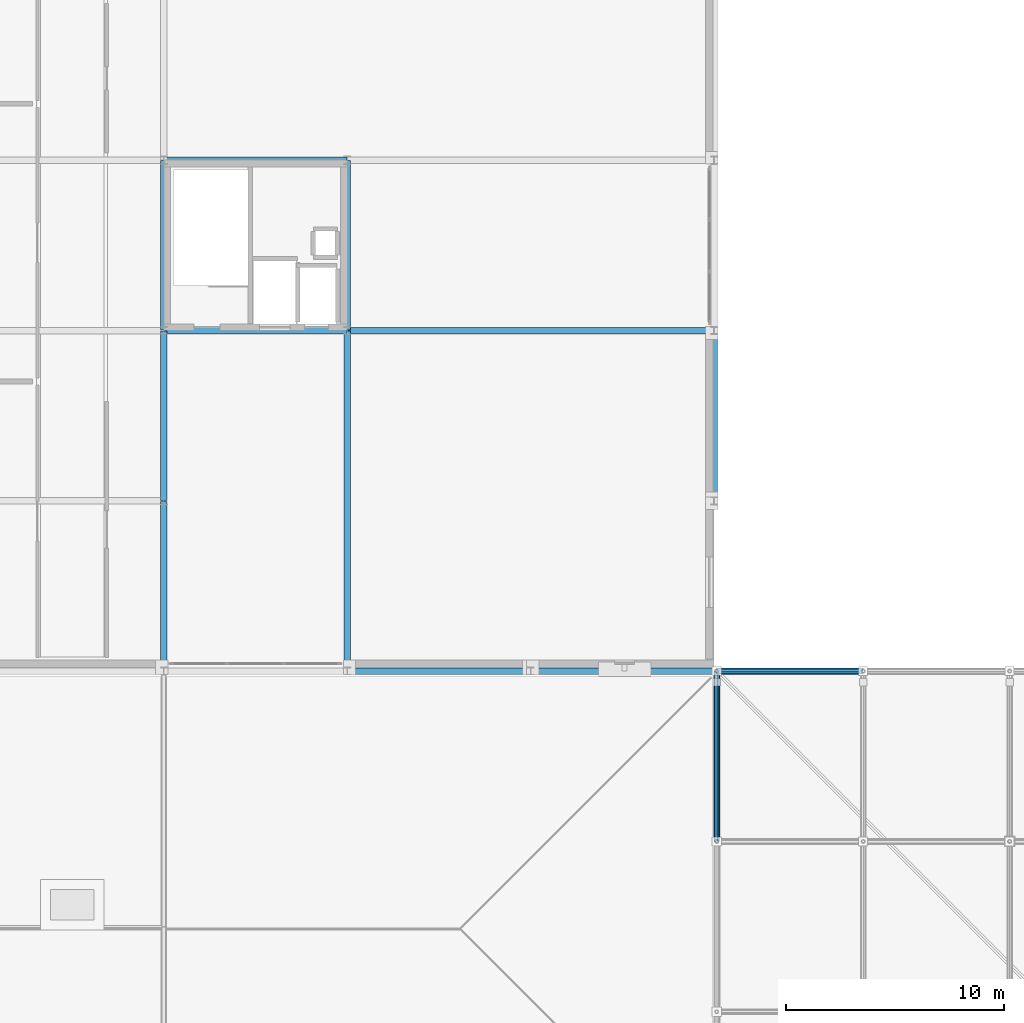
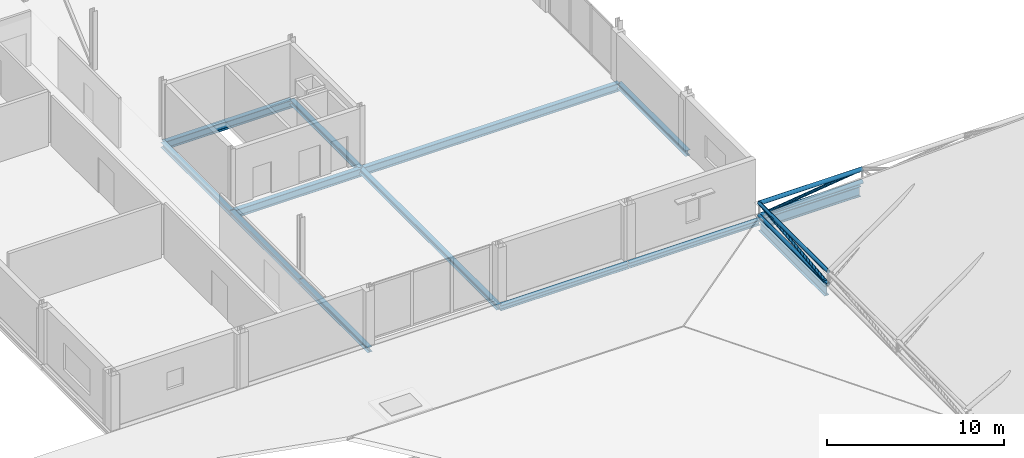
# One storey, part 22 of 77: 13 beams, 6 members.
"""IFC4 building model written with IfcOpenShell, lengths in metres."""

from ifc_helpers import new_model, si_unit, direction, frame, origin, origin_2d, place, context, subcontext, project, spatial, hollow_circle, i_section, extrude, material, material_profile, profile_set, type_object, element, save


model = new_model("IFC4")

# Units and contexts
model_context = context("Model", 3, precision=1e-05, world=origin(), true_north=direction((0.0, 1.0)))
body_context = subcontext(model_context, "Body", "Model", "MODEL_VIEW")
ifc_project = project(units=[si_unit("LENGTHUNIT", "METRE"), si_unit("AREAUNIT", "SQUARE_METRE"), si_unit("VOLUMEUNIT", "CUBIC_METRE"), si_unit("PLANEANGLEUNIT", "RADIAN"), si_unit("MASSUNIT", "GRAM", prefix="KILO")], contexts=[model_context])

# Site, building, storey
site_placement = place(None, origin())
site = spatial("IfcSite", under=ifc_project, at=site_placement, CompositionType="ELEMENT")
building_placement = place(site_placement, origin())
building = spatial("IfcBuilding", under=site, at=building_placement, Name="Nabrawat Pavilion Hospital", CompositionType="ELEMENT")
storey_placement = place(building_placement, frame((0.0, 0.0, 14.85009765625)))
storey = spatial("IfcBuildingStorey", under=building, at=storey_placement, Name="L03", CompositionType="ELEMENT", Elevation=14.85009765625)

# Beams
ifc_material = material(Name="Steel S355", Category="steel")
ifc_material_profile_1 = material_profile(ifc_material, i_section(OverallWidth=0.300048828125, OverallDepth=0.699951171875, WebThickness=0.01708984375, FlangeThickness=0.031982421875, FilletRadius=0.027099609375, at=origin_2d()), Name="HEB 700")
ifc_profile_set_1 = profile_set([ifc_material_profile_1], Name="Steel S355")
beam_type_1 = type_object("IfcBeamType", Name="Main Hall Space-Frame Perimeter Ring Girder HEB 700", PredefinedType="USERDEFINED", material=ifc_profile_set_1)
beam_1_placement = place(storey_placement, frame((59.09326171875, 39.0, -0.60009765625), z_axis=(1.0, 0.0, 0.0), x_axis=(0.0, 1.0, 0.0)))
element("IfcBeam", 1, at=beam_1_placement, inside=storey, type_object=beam_type_1, Name="L03 Main Hall Space-Frame Perimeter Ring Girder 1464", ObjectType="GIRDER", PredefinedType="USERDEFINED", context=body_context, shape_type="SweptSolid", body=[
    extrude(i_section(OverallWidth=0.300048828125, OverallDepth=0.699951171875, WebThickness=0.01708984375, FlangeThickness=0.031982421875, FilletRadius=0.027099609375, at=origin_2d()), origin(), (0.0, 0.0, 1.0), 6.361572265625),
])
beam_2_placement = place(storey_placement, frame((58.919921875, 31.373291015625, -0.60009765625), z_axis=(0.0, 1.0, 0.0), x_axis=(-1.0, 0.0, 0.0)))
element("IfcBeam", 2, at=beam_2_placement, inside=storey, type_object=beam_type_1, Name="L03 Main Hall Space-Frame Perimeter Ring Girder 1623", ObjectType="GIRDER", PredefinedType="USERDEFINED", context=body_context, shape_type="SweptSolid", body=[
    extrude(i_section(OverallWidth=0.300048828125, OverallDepth=0.699951171875, WebThickness=0.01708984375, FlangeThickness=0.031982421875, FilletRadius=0.027099609375, at=origin_2d()), origin(), (0.0, 0.0, 1.0), 7.45361328125),
])
ifc_material_profile_2 = material_profile(ifc_material, i_section(OverallWidth=0.300048828125, OverallDepth=0.389892578125, WebThickness=0.010986328125, FlangeThickness=0.01904296875, FilletRadius=0.027099609375, at=origin_2d()), Name="HEA 400")
ifc_profile_set_2 = profile_set([ifc_material_profile_2], Name="Steel S355")
beam_type_2 = type_object("IfcBeamType", Name="Perimeter Moment Spandrel Beam HEA 400", PredefinedType="SPANDREL", material=ifc_profile_set_2)
beam_3_placement = place(storey_placement, frame((58.800048828125, 46.820068359375, -0.465087890625), z_axis=(0.0, 1.0, 0.0), x_axis=(-1.0, 0.0, 0.0)))
element("IfcBeam", 3, at=beam_3_placement, inside=storey, type_object=beam_type_2, Name="L03 Primary Y Beam 1612", PredefinedType="SPANDREL", context=body_context, shape_type="SweptSolid", body=[
    extrude(i_section(OverallWidth=0.300048828125, OverallDepth=0.389892578125, WebThickness=0.010986328125, FlangeThickness=0.01904296875, FilletRadius=0.027099609375, at=origin_2d()), origin(), (0.0, 0.0, 1.0), 7.760009765625),
])
ifc_material_profile_3 = material_profile(ifc_material, i_section(OverallWidth=0.300048828125, OverallDepth=0.5400390625, WebThickness=0.012451171875, FlangeThickness=0.02392578125, FilletRadius=0.027099609375, at=origin_2d()), Name="HEA 550")
ifc_profile_set_3 = profile_set([ifc_material_profile_3], Name="Steel S355")
beam_type_3 = type_object("IfcBeamType", Name="Primary Clinical Girder HEA 550", PredefinedType="USERDEFINED", material=ifc_profile_set_3)
beam_4_placement = place(storey_placement, frame((33.6201171875, 54.60009765625, -0.5400390625), z_axis=(1.0, 0.0, 0.0), x_axis=(0.0, 1.0, 0.0)))
element("IfcBeam", 4, at=beam_4_placement, inside=storey, type_object=beam_type_3, Name="L03 Primary X Girder 1492", ObjectType="GIRDER", PredefinedType="USERDEFINED", context=body_context, shape_type="SweptSolid", body=[
    extrude(i_section(OverallWidth=0.300048828125, OverallDepth=0.5400390625, WebThickness=0.012451171875, FlangeThickness=0.02392578125, FilletRadius=0.027099609375, at=origin_2d()), origin(), (0.0, 0.0, 1.0), 8.35986328125),
])
beam_5_placement = place(storey_placement, frame((42.02001953125, 54.60009765625, -0.5400390625), z_axis=(1.0, 0.0, 0.0), x_axis=(0.0, 1.0, 0.0)))
element("IfcBeam", 5, at=beam_5_placement, inside=storey, type_object=beam_type_3, Name="L03 Primary X Girder 1493", ObjectType="GIRDER", PredefinedType="USERDEFINED", context=body_context, shape_type="SweptSolid", body=[
    extrude(i_section(OverallWidth=0.300048828125, OverallDepth=0.5400390625, WebThickness=0.012451171875, FlangeThickness=0.02392578125, FilletRadius=0.027099609375, at=origin_2d()), origin(), (0.0, 0.0, 1.0), 16.760009765625),
])
beam_6_placement = place(storey_placement, frame((33.6201171875, 62.39990234375, -0.5400390625), z_axis=(1.0, 0.0, 0.0), x_axis=(0.0, 1.0, 0.0)))
element("IfcBeam", 6, at=beam_6_placement, inside=storey, type_object=beam_type_3, Name="L03 Primary X Girder 1503", ObjectType="GIRDER", PredefinedType="USERDEFINED", context=body_context, shape_type="SweptSolid", body=[
    extrude(i_section(OverallWidth=0.300048828125, OverallDepth=0.5400390625, WebThickness=0.012451171875, FlangeThickness=0.02392578125, FilletRadius=0.027099609375, at=origin_2d()), origin(), (0.0, 0.0, 1.0), 8.35986328125),
])

# Members
ifc_material_profile_4 = material_profile(ifc_material, hollow_circle(Radius=0.136474609375, WallThickness=0.012451171875, at=origin_2d()), Name="CHS 273x12.5")
ifc_profile_set_4 = profile_set([ifc_material_profile_4], Name="Steel S355")
member_type_1 = type_object("IfcMemberType", Name="Space Frame Primary Chord CHS 273x12.5", PredefinedType="CHORD", material=ifc_profile_set_4)
for number, where, z_axis, x_axis, name in (
    (7, (58.919921875, 39.0, 0.7998046875), (1.0, 0.0, 0.0), (0.0, 1.0, 0.0), "Space Frame Chord Top X 0022"),
    (8, (58.919921875, 39.0, -0.050048828125), (1.0, 0.0, 0.0), (0.0, 1.0, 0.0), "Space Frame Chord Bottom X 0023"),
):
    element("IfcMember", number, at=place(storey_placement, frame(where, z_axis=z_axis, x_axis=x_axis)), inside=storey, type_object=member_type_1, Name=name, PredefinedType="CHORD", context=body_context, shape_type="SweptSolid", body=[
        extrude(hollow_circle(Radius=0.136474609375, WallThickness=0.012451171875, at=origin_2d()), origin(), (0.0, 0.0, 1.0), 6.7080078125),
    ])
ifc_material_profile_5 = material_profile(ifc_material, hollow_circle(Radius=0.096923828125, WallThickness=0.010009765625, at=origin_2d()), Name="CHS 193.7x10")
ifc_profile_set_5 = profile_set([ifc_material_profile_5], Name="Steel S355")
member_type_2 = type_object("IfcMemberType", Name="Space Frame Primary Diagonal CHS 193.7x10", PredefinedType="BRACE", material=ifc_profile_set_5)
member_1_placement = place(storey_placement, frame((58.919921875, 31.199951171875, -0.050048828125), z_axis=(0.0, 0.994116744553, 0.108313887376), x_axis=(-1.0, 0.0, 0.0)))
element("IfcMember", 9, at=member_1_placement, inside=storey, type_object=member_type_2, Name="Space Frame Diagonal Web Y 0021", PredefinedType="BRACE", context=body_context, shape_type="SweptSolid", body=[
    extrude(hollow_circle(Radius=0.096923828125, WallThickness=0.010009765625, at=origin_2d()), origin(), (0.0, 0.0, 1.0), 7.84619140625),
])
member_2_placement = place(storey_placement, frame((58.919921875, 39.0, -0.050048828125), z_axis=(0.992069857778, 0.0, 0.125687697442), x_axis=(0.0, 1.0, 0.0)))
element("IfcMember", 10, at=member_2_placement, inside=storey, type_object=member_type_2, Name="Space Frame Diagonal Web X 0025", PredefinedType="BRACE", context=body_context, shape_type="SweptSolid", body=[
    extrude(hollow_circle(Radius=0.096923828125, WallThickness=0.010009765625, at=origin_2d()), origin(), (0.0, 0.0, 1.0), 6.76171875),
])
ifc_material_profile_6 = material_profile(ifc_material, hollow_circle(Radius=0.122314453125, WallThickness=0.012451171875, at=origin_2d()), Name="CHS 244.5x12.5")
ifc_profile_set_6 = profile_set([ifc_material_profile_6], Name="Steel S355")
member_type_3 = type_object("IfcMemberType", Name="Space Frame Transverse Chord CHS 244.5x12.5", PredefinedType="CHORD", material=ifc_profile_set_6)
for number, where, z_axis, x_axis, name in (
    (11, (58.919921875, 31.199951171875, 0.7998046875), (0.0, 1.0, 0.0), (-1.0, 0.0, 0.0), "Space Frame Chord Top Y 0017"),
    (12, (58.919921875, 31.199951171875, -0.050048828125), (0.0, 1.0, 0.0), (-1.0, 0.0, 0.0), "Space Frame Chord Bottom Y 0018"),
):
    element("IfcMember", number, at=place(storey_placement, frame(where, z_axis=z_axis, x_axis=x_axis)), inside=storey, type_object=member_type_3, Name=name, PredefinedType="CHORD", context=body_context, shape_type="SweptSolid", body=[
        extrude(hollow_circle(Radius=0.122314453125, WallThickness=0.012451171875, at=origin_2d()), origin(), (0.0, 0.0, 1.0), 7.800048828125),
    ])

# Beams
ifc_material_profile_7 = material_profile(ifc_material, i_section(OverallWidth=0.300048828125, OverallDepth=0.360107421875, WebThickness=0.012451171875, FlangeThickness=0.0224609375, FilletRadius=0.027099609375, at=origin_2d()), Name="HEB 360")
ifc_profile_set_7 = profile_set([ifc_material_profile_7], Name="Steel S355")
beam_type_4 = type_object("IfcBeamType", Name="Surgical Perimeter Spandrel HEB 360", PredefinedType="SPANDREL", material=ifc_profile_set_7)
beam_7_placement = place(storey_placement, frame((42.02001953125, 39.0, -0.4501953125), z_axis=(1.0, 0.0, 0.0), x_axis=(0.0, 1.0, 0.0)))
element("IfcBeam", 13, at=beam_7_placement, inside=storey, type_object=beam_type_4, Name="L03 Primary X Girder 1462", PredefinedType="SPANDREL", context=body_context, shape_type="SweptSolid", body=[
    extrude(i_section(OverallWidth=0.300048828125, OverallDepth=0.360107421875, WebThickness=0.012451171875, FlangeThickness=0.0224609375, FilletRadius=0.027099609375, at=origin_2d()), origin(), (0.0, 0.0, 1.0), 8.35986328125),
])
beam_8_placement = place(storey_placement, frame((50.419921875, 39.0, -0.4501953125), z_axis=(1.0, 0.0, 0.0), x_axis=(0.0, 1.0, 0.0)))
element("IfcBeam", 14, at=beam_8_placement, inside=storey, type_object=beam_type_4, Name="L03 Primary X Girder 1463", PredefinedType="SPANDREL", context=body_context, shape_type="SweptSolid", body=[
    extrude(i_section(OverallWidth=0.300048828125, OverallDepth=0.360107421875, WebThickness=0.012451171875, FlangeThickness=0.0224609375, FilletRadius=0.027099609375, at=origin_2d()), origin(), (0.0, 0.0, 1.0), 8.47998046875),
])
ifc_material_profile_8 = material_profile(ifc_material, i_section(OverallWidth=0.300048828125, OverallDepth=0.35009765625, WebThickness=0.009521484375, FlangeThickness=0.017578125, FilletRadius=0.027099609375, at=origin_2d()), Name="HEA 360")
ifc_profile_set_8 = profile_set([ifc_material_profile_8], Name="Steel S355")
beam_type_5 = type_object("IfcBeamType", Name="Surgical Stiffened Beam HEA 360", PredefinedType="BEAM", material=ifc_profile_set_8)
for number, where, z_axis, x_axis, name in (
    (15, (33.60009765625, 39.02001953125, -0.445068359375), (0.0, 1.0, 0.0), (-1.0, 0.0, 0.0), "L03 Primary Y Beam 1600"),
    (16, (33.60009765625, 46.820068359375, -0.445068359375), (0.0, 1.0, 0.0), (-1.0, 0.0, 0.0), "L03 Primary Y Beam 1601"),
):
    element("IfcBeam", number, at=place(storey_placement, frame(where, z_axis=z_axis, x_axis=x_axis)), inside=storey, type_object=beam_type_5, Name=name, PredefinedType="BEAM", context=body_context, shape_type="SweptSolid", body=[
        extrude(i_section(OverallWidth=0.300048828125, OverallDepth=0.35009765625, WebThickness=0.009521484375, FlangeThickness=0.017578125, FilletRadius=0.027099609375, at=origin_2d()), origin(), (0.0, 0.0, 1.0), 7.760009765625),
    ])
beam_9_placement = place(storey_placement, frame((33.60009765625, 54.6201171875, -0.445068359375), z_axis=(0.0, 1.0, 0.0), x_axis=(-1.0, 0.0, 0.0)))
element("IfcBeam", 17, at=beam_9_placement, inside=storey, type_object=beam_type_5, Name="L03 Primary Y Beam 1602", PredefinedType="BEAM", context=body_context, shape_type="SweptSolid", body=[
    extrude(i_section(OverallWidth=0.300048828125, OverallDepth=0.35009765625, WebThickness=0.009521484375, FlangeThickness=0.017578125, FilletRadius=0.027099609375, at=origin_2d()), origin(), (0.0, 0.0, 1.0), 7.759765625),
])
beam_10_placement = place(storey_placement, frame((42.0, 39.02001953125, -0.445068359375), z_axis=(0.0, 1.0, 0.0), x_axis=(-1.0, 0.0, 0.0)))
element("IfcBeam", 18, at=beam_10_placement, inside=storey, type_object=beam_type_5, Name="L03 Primary Y Beam 1610", PredefinedType="BEAM", context=body_context, shape_type="SweptSolid", body=[
    extrude(i_section(OverallWidth=0.300048828125, OverallDepth=0.35009765625, WebThickness=0.009521484375, FlangeThickness=0.017578125, FilletRadius=0.027099609375, at=origin_2d()), origin(), (0.0, 0.0, 1.0), 15.56005859375),
])
beam_11_placement = place(storey_placement, frame((42.0, 54.6201171875, -0.445068359375), z_axis=(0.0, 1.0, 0.0), x_axis=(-1.0, 0.0, 0.0)))
element("IfcBeam", 19, at=beam_11_placement, inside=storey, type_object=beam_type_5, Name="L03 Primary Y Beam 1611", PredefinedType="BEAM", context=body_context, shape_type="SweptSolid", body=[
    extrude(i_section(OverallWidth=0.300048828125, OverallDepth=0.35009765625, WebThickness=0.009521484375, FlangeThickness=0.017578125, FilletRadius=0.027099609375, at=origin_2d()), origin(), (0.0, 0.0, 1.0), 7.759765625),
])

save(model, "model.ifc")
